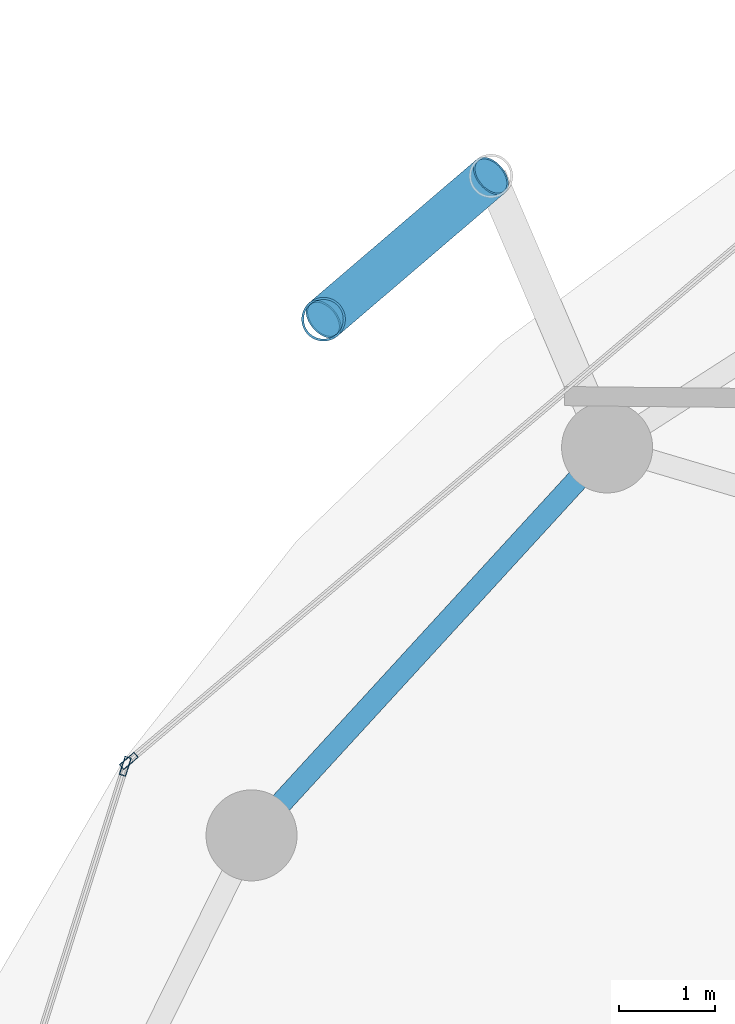
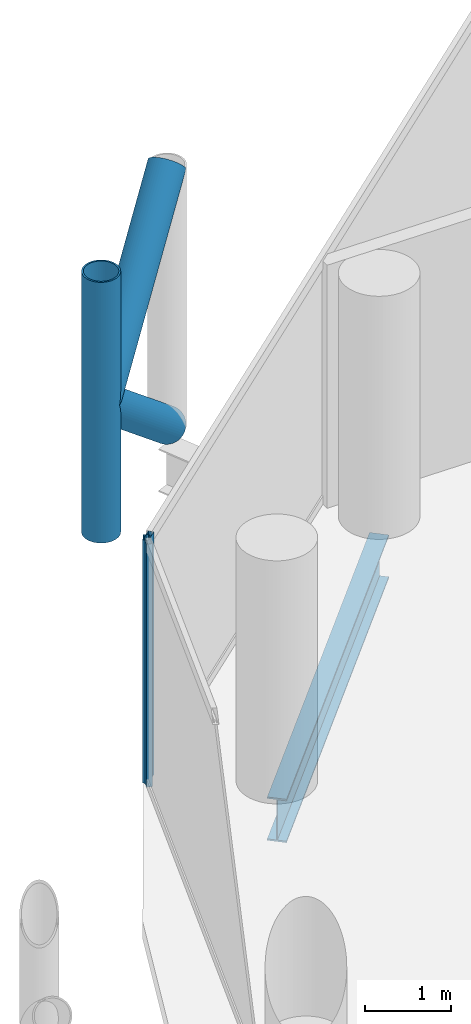
# One storey, part 13 of 26: 5 members, 1 beam, 2 elements without a shape of their own.
"""IFC4 building model written with IfcOpenShell, lengths in metres."""

import ifcopenshell
import ifcopenshell.guid

model = None  # the IFC model being written
_history = None  # IfcOwnerHistory: only IFC2X3 demands one
_inside = {}  # id of a spatial element -> (the spatial element, [elements in it])
_under = {}  # id of a project, library or spatial element -> (it, [spatial elements below it])
_declared = {}  # id of a project -> (the project, [libraries it declares])
_typed = {}  # id of a type object -> (the type object, [elements of that type])
_made_of = {}  # id of a material, layer set ... -> (it, [elements and type objects made of it])


def new_model(schema):
    """Start an empty IFC model of exactly this schema.

    Asked for "IFC4X3", IfcOpenShell would pick the latest addendum, in which some entities
    have other attributes; the version numbers below select the first issue.
    IFC2X3 requires an IfcOwnerHistory on every rooted entity: one is made here for all.
    """
    global model, _history
    if schema == "IFC4X3":
        model = ifcopenshell.file(schema_version=(4, 3, 0, 0))
    else:
        model = ifcopenshell.file(schema=schema)
    _inside.clear()
    _under.clear()
    _declared.clear()
    _typed.clear()
    _made_of.clear()
    _history = None
    if model.schema == "IFC2X3":
        org = make("IfcOrganization", Name="unknown")
        user = make(
            "IfcPersonAndOrganization",
            ThePerson=make("IfcPerson", FamilyName="unknown"),
            TheOrganization=org,
        )
        app = make(
            "IfcApplication",
            ApplicationDeveloper=org,
            Version="unknown",
            ApplicationFullName="unknown",
            ApplicationIdentifier="unknown",
        )
        _history = make(
            "IfcOwnerHistory",
            OwningUser=user,
            OwningApplication=app,
            ChangeAction="ADDED",
            CreationDate=0,
        )
    return model


def make(cls, **values):
    """One entity of the class cls with the attributes given. An attribute that is None is left unset."""
    return model.create_entity(
        cls, **{name: value for name, value in values.items() if value is not None}
    )


def rooted(cls, **values):
    """An entity with a GlobalId (a new one), such as an element, a storey or a relation."""
    return make(cls, GlobalId=ifcopenshell.guid.new(), OwnerHistory=_history, **values)


def si_unit(unit_type, name, prefix=None):
    """IfcSIUnit, for example si_unit("LENGTHUNIT", "METRE", prefix="MILLI")."""
    return make("IfcSIUnit", UnitType=unit_type, Prefix=prefix, Name=name)


def assignment(units):
    """IfcUnitAssignment: the units of a project."""
    return None if units is None else make("IfcUnitAssignment", Units=units)


def point(xyz):
    """IfcCartesianPoint."""
    return None if xyz is None else make("IfcCartesianPoint", Coordinates=xyz)


def direction(xyz):
    """IfcDirection."""
    return None if xyz is None else make("IfcDirection", DirectionRatios=xyz)


def frame(location, z_axis=None, x_axis=None):
    """IfcAxis2Placement3D, a coordinate frame: its origin and axes. An axis left out is left unset."""
    return make(
        "IfcAxis2Placement3D",
        Location=point(location),
        Axis=direction(z_axis),
        RefDirection=direction(x_axis),
    )


def frame_2d(location, x_axis=None):
    """IfcAxis2Placement2D, a coordinate frame in the plane: its origin and x axis."""
    return make(
        "IfcAxis2Placement2D", Location=point(location), RefDirection=direction(x_axis)
    )


def origin():
    """The frame at (0, 0, 0) with its axes left unset."""
    return frame((0.0, 0.0, 0.0))


def origin_2d():
    """The frame at (0, 0) in the plane with its x axis left unset."""
    return frame_2d((0.0, 0.0))


def place(relative_to, where):
    """IfcLocalPlacement: puts the frame where relative to a parent placement (None: the world)."""
    return make(
        "IfcLocalPlacement", PlacementRelTo=relative_to, RelativePlacement=where
    )


def context(
    kind, dimensions, precision=None, world=None, true_north=None, identifier=None
):
    """IfcGeometricRepresentationContext, for example the 3D "Model" context."""
    return make(
        "IfcGeometricRepresentationContext",
        ContextIdentifier=identifier,
        ContextType=kind,
        CoordinateSpaceDimension=dimensions,
        Precision=precision,
        WorldCoordinateSystem=world,
        TrueNorth=true_north,
    )


def subcontext(parent, identifier, kind, view, scale=None):
    """IfcGeometricRepresentationSubContext, for example "Body" below "Model"."""
    return make(
        "IfcGeometricRepresentationSubContext",
        ContextIdentifier=identifier,
        ContextType=kind,
        ParentContext=parent,
        TargetScale=scale,
        TargetView=view,
    )


def project(units=None, contexts=None):
    """IfcProject with its units and contexts."""
    return rooted(
        "IfcProject",
        Name="project",
        RepresentationContexts=contexts,
        UnitsInContext=assignment(units),
    )


def spatial(cls, under=None, at=None, **own):
    """A site, building, storey or space (cls), placed at a placement, below another one or the project."""
    s = rooted(cls, ObjectPlacement=at, **own)
    if under is not None:
        _under.setdefault(under.id(), (under, []))[1].append(s)
    return s


def profile(cls, at=None, kind="AREA", **sizes):
    """A parametric profile (cls). Its sizes go by their IFC names, for example OverallWidth=200.0."""
    return make(cls, ProfileType=kind, Position=at, **sizes)


def hollow_rectangle(**sizes):
    """IfcRectangleHollowProfileDef."""
    return profile("IfcRectangleHollowProfileDef", **sizes)


def hollow_circle(**sizes):
    """IfcCircleHollowProfileDef."""
    return profile("IfcCircleHollowProfileDef", **sizes)


def i_section(**sizes):
    """IfcIShapeProfileDef."""
    return profile("IfcIShapeProfileDef", **sizes)


def extrude(swept, where, along, depth):
    """IfcExtrudedAreaSolid: the profile swept, set in the frame where, extruded along a direction by depth."""
    return make(
        "IfcExtrudedAreaSolid",
        SweptArea=swept,
        Position=where,
        ExtrudedDirection=direction(along),
        Depth=depth,
    )


def shape(context_of_items, identifier, shape_type, items):
    """IfcShapeRepresentation: the items that make up one representation, for example the "Body"."""
    return make(
        "IfcShapeRepresentation",
        ContextOfItems=context_of_items,
        RepresentationIdentifier=identifier,
        RepresentationType=shape_type,
        Items=items,
    )


def material(Name=None, Category=None):
    """IfcMaterial."""
    return make("IfcMaterial", Name=Name, Category=Category)


def layer(
    of_material, thickness, ventilated=None, Name=None, Category=None, Priority=None
):
    """IfcMaterialLayer: one layer of a wall or slab, of a material (None: an air gap)."""
    return make(
        "IfcMaterialLayer",
        Material=of_material,
        LayerThickness=thickness,
        IsVentilated=ventilated,
        Name=Name,
        Category=Category,
        Priority=Priority,
    )


def layer_set(layers, Name=None):
    """IfcMaterialLayerSet."""
    return make("IfcMaterialLayerSet", MaterialLayers=layers, LayerSetName=Name)


def material_profile(
    of_material, cross_section, Name=None, Category=None, Priority=None
):
    """IfcMaterialProfile: a cross section and its material."""
    return make(
        "IfcMaterialProfile",
        Name=Name,
        Material=of_material,
        Profile=cross_section,
        Priority=Priority,
        Category=Category,
    )


def profile_set(profiles, Name=None, composite=None):
    """IfcMaterialProfileSet."""
    return make(
        "IfcMaterialProfileSet",
        Name=Name,
        MaterialProfiles=profiles,
        CompositeProfile=composite,
    )


def made_of(thing, what):
    """Note that an element or type object is made of a material, layer set ...; save() writes the relation."""
    if what is not None:
        _made_of.setdefault(what.id(), (what, []))[1].append(thing)
    return thing


def type_object(cls, material=None, **own):
    """A type object (cls), such as IfcWallType, which elements share."""
    return made_of(rooted(cls, **own), material)


def element(
    cls,
    number,
    at=None,
    inside=None,
    cuts=None,
    type_object=None,
    material=None,
    context=None,
    identifier="Body",
    shape_type=None,
    held_by="IfcProductDefinitionShape",
    body=None,
    shapes=None,
    **own,
):
    """One element of the class cls, such as IfcWall. Its Tag is "e" and its number.

    at: its placement. inside: the storey or other place that contains it. cuts: it is an
    opening in that element (IfcRelVoidsElement). A single representation is given by context,
    identifier, shape_type and body (its items); several are given by shapes. held_by: the class
    of the entity that holds the representations. save() writes the other relations.
    """
    e = rooted(cls, Tag="e%d" % number, ObjectPlacement=at, **own)
    if body is not None:
        shapes = [shape(context, identifier, shape_type, body)]
    if shapes is not None:
        e.Representation = make(held_by, Representations=shapes)
    if inside is not None:
        _inside.setdefault(inside.id(), (inside, []))[1].append(e)
    if cuts is not None:
        rooted(
            "IfcRelVoidsElement", RelatingBuildingElement=cuts, RelatedOpeningElement=e
        )
    if type_object is not None:
        _typed.setdefault(type_object.id(), (type_object, []))[1].append(e)
    return made_of(e, material)


def aggregate(whole, parts):
    """IfcRelAggregates: a whole, such as a stair, and the parts it consists of."""
    return rooted("IfcRelAggregates", RelatingObject=whole, RelatedObjects=parts)


def save(model, path):
    """Write the relations noted so far, then the file.

    IfcRelAggregates (storeys below a building ...), IfcRelContainedInSpatialStructure (elements
    in a storey), IfcRelDefinesByType, IfcRelAssociatesMaterial and IfcRelDeclares: one each for
    every whole, place, type object, material and project.
    """
    for whole, parts in _under.values():
        aggregate(whole, parts)
    for where, things in _inside.values():
        rooted(
            "IfcRelContainedInSpatialStructure",
            RelatedElements=things,
            RelatingStructure=where,
        )
    for kind, things in _typed.values():
        rooted("IfcRelDefinesByType", RelatedObjects=things, RelatingType=kind)
    for what, things in _made_of.values():
        rooted("IfcRelAssociatesMaterial", RelatedObjects=things, RelatingMaterial=what)
    for by, libraries in _declared.values():
        rooted("IfcRelDeclares", RelatingContext=by, RelatedDefinitions=libraries)
    model.write(path)


model = new_model("IFC4")

# Units and contexts
model_context = context("Model", 3, precision=1e-05, world=origin(), true_north=direction((0.0, 1.0)))
body_context = subcontext(model_context, "Body", "Model", "MODEL_VIEW")
ifc_project = project(units=[si_unit("LENGTHUNIT", "METRE"), si_unit("AREAUNIT", "SQUARE_METRE"), si_unit("VOLUMEUNIT", "CUBIC_METRE"), si_unit("PLANEANGLEUNIT", "RADIAN"), si_unit("MASSUNIT", "GRAM", prefix="KILO")], contexts=[model_context])

# Site, building, storey
site_placement = place(None, origin())
site = spatial("IfcSite", under=ifc_project, at=site_placement, CompositionType="ELEMENT")
building_placement = place(site_placement, origin())
building = spatial("IfcBuilding", under=site, at=building_placement, Name="Nuhasar Tower", CompositionType="ELEMENT")
storey_placement = place(building_placement, frame((0.0, 0.0, 177.449951171875)))
storey = spatial("IfcBuildingStorey", under=building, at=storey_placement, Name="L43", CompositionType="ELEMENT", Elevation=177.449951171875)

# Beam
ifc_material_1 = material(Name="Steel S355", Category="steel")
ifc_material_profile_1 = material_profile(ifc_material_1, i_section(OverallWidth=0.22998046875, OverallDepth=0.616943359375, WebThickness=0.01318359375, FlangeThickness=0.022216796875, at=origin_2d()), Name="W24X94")
ifc_profile_set_1 = profile_set([ifc_material_profile_1], Name="Steel S355")
beam_type = type_object("IfcBeamType", Name="BM-RING-W24X94", PredefinedType="SPANDREL", material=ifc_profile_set_1)
beam_placement = place(storey_placement, frame((22.489013671875, 40.6240234375, -0.558837890625), z_axis=(-0.675654174897, -0.737218716491, 0.0), x_axis=(0.737218716491, -0.675654174897, 0.0)))
element("IfcBeam", 1, at=beam_placement, inside=storey, type_object=beam_type, Name="L43 Perimeter Ring Spandrel 10", PredefinedType="SPANDREL", context=body_context, shape_type="SweptSolid", body=[
    extrude(i_section(OverallWidth=0.22998046875, OverallDepth=0.616943359375, WebThickness=0.01318359375, FlangeThickness=0.022216796875, at=origin_2d()), origin(), (0.0, 0.0, 1.0), 5.492431640625),
])

# Curtain wall, member
ifc_material_2 = material(Name="Aluminium 6063-T6", Category="aluminium")
ifc_layer = layer(ifc_material_2, 0.199951171875)
ifc_layer_set = layer_set([ifc_layer], Name="Aluminium 6063-T6")
curtain_wall_type = type_object("IfcCurtainWallType", Name="CW-Z2-HTL", PredefinedType="NOTDEFINED", material=ifc_layer_set)
curtain_wall_1_placement = place(storey_placement, origin())
curtain_wall_1 = element("IfcCurtainWall", 2, at=curtain_wall_1_placement, inside=storey, type_object=curtain_wall_type, Name="L43 Unitised Curtain Wall 05", PredefinedType="NOTDEFINED")
ifc_material_profile_2 = material_profile(ifc_material_2, hollow_rectangle(XDim=0.070068359375, YDim=0.199951171875, WallThickness=0.0048828125, at=origin_2d()), Name="CWM-3")
ifc_profile_set_2 = profile_set([ifc_material_profile_2], Name="Aluminium 6063-T6")
member_type_1 = type_object("IfcMemberType", Name="CW-MUL-S3", PredefinedType="MULLION", material=ifc_profile_set_2)
member_1_placement = place(storey_placement, frame((17.497802734375, 37.3525390625, 0.0), z_axis=(0.0, 0.0, 1.0), x_axis=(0.646374438324, -0.763020370292, 0.0)))
member_1 = element("IfcMember", 3, at=member_1_placement, type_object=member_type_1, Name="CW-Z2 mullion 2", PredefinedType="MULLION", context=body_context, shape_type="SweptSolid", body=[
    extrude(hollow_rectangle(XDim=0.070068359375, YDim=0.199951171875, WallThickness=0.0048828125, at=origin_2d()), origin(), (0.0, 0.0, 1.0), 3.449951171875),
])
aggregate(curtain_wall_1, [member_1])

curtain_wall_2_placement = place(storey_placement, origin())
curtain_wall_2 = element("IfcCurtainWall", 4, at=curtain_wall_2_placement, inside=storey, type_object=curtain_wall_type, Name="L43 Unitised Curtain Wall 06", PredefinedType="NOTDEFINED")
member_2_placement = place(storey_placement, frame((17.46044921875, 37.296630859375, 0.0), z_axis=(0.0, 0.0, 1.0), x_axis=(0.953433389233, -0.301603667577, 0.0)))
member_2 = element("IfcMember", 5, at=member_2_placement, type_object=member_type_1, Name="CW-Z2 mullion 1", PredefinedType="MULLION", context=body_context, shape_type="SweptSolid", body=[
    extrude(hollow_rectangle(XDim=0.070068359375, YDim=0.199951171875, WallThickness=0.0048828125, at=origin_2d()), origin(), (0.0, 0.0, 1.0), 3.449951171875),
])
aggregate(curtain_wall_2, [member_2])

# Members
ifc_material_3 = material(Name="Steel S460", Category="steel")
ifc_material_profile_3 = material_profile(ifc_material_3, hollow_circle(Radius=0.228515625, WallThickness=0.022216796875, at=origin_2d()), Name="HSS457X22.2")
ifc_profile_set_3 = profile_set([ifc_material_profile_3], Name="Steel S460")
member_type_2 = type_object("IfcMemberType", Name="EXO-BRONZE-457", PredefinedType="BRACE", material=ifc_profile_set_3)
member_3_placement = place(storey_placement, frame((19.529052734375, 41.9619140625, 0.0), z_axis=(0.0, 0.0, 1.0), x_axis=(1.0, 0.0, 0.0)))
element("IfcMember", 6, at=member_3_placement, inside=storey, type_object=member_type_2, Name="L43 Exoskeleton Chord Column EC-05B", PredefinedType="BRACE", context=body_context, shape_type="SweptSolid", body=[
    extrude(hollow_circle(Radius=0.228515625, WallThickness=0.022216796875, at=origin_2d()), origin(), (0.0, 0.0, 1.0), 3.699951171875),
])
member_4_placement = place(storey_placement, frame((21.277099609375, 43.45703125, 0.0), z_axis=(-0.592170370358, -0.506487618445, 0.626741210415), x_axis=(0.649986859795, -0.759945446788, 0.0)))
element("IfcMember", 7, at=member_4_placement, inside=storey, type_object=member_type_2, Name="L43 Bronze Diagrid Brace W1-05", PredefinedType="BRACE", context=body_context, shape_type="SweptSolid", body=[
    extrude(hollow_circle(Radius=0.228515625, WallThickness=0.022216796875, at=origin_2d()), origin(), (0.0, 0.0, 1.0), 2.951904296875),
])
member_5_placement = place(storey_placement, frame((19.529052734375, 41.9619140625, 1.85009765625), z_axis=(0.592201065785, 0.506513872468, 0.626690988192), x_axis=(-0.649986859795, 0.759945446788, 0.0)))
element("IfcMember", 8, at=member_5_placement, inside=storey, type_object=member_type_2, Name="L43 Bronze Diagrid Brace W2-05", PredefinedType="BRACE", context=body_context, shape_type="SweptSolid", body=[
    extrude(hollow_circle(Radius=0.228515625, WallThickness=0.022216796875, at=origin_2d()), origin(), (0.0, 0.0, 1.0), 2.95166015625),
])

save(model, "model.ifc")
